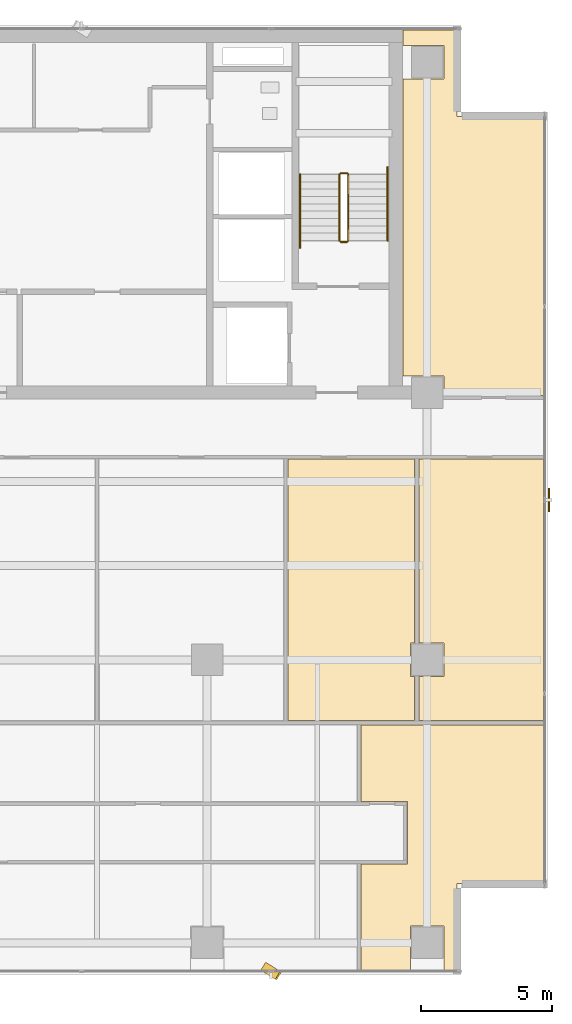
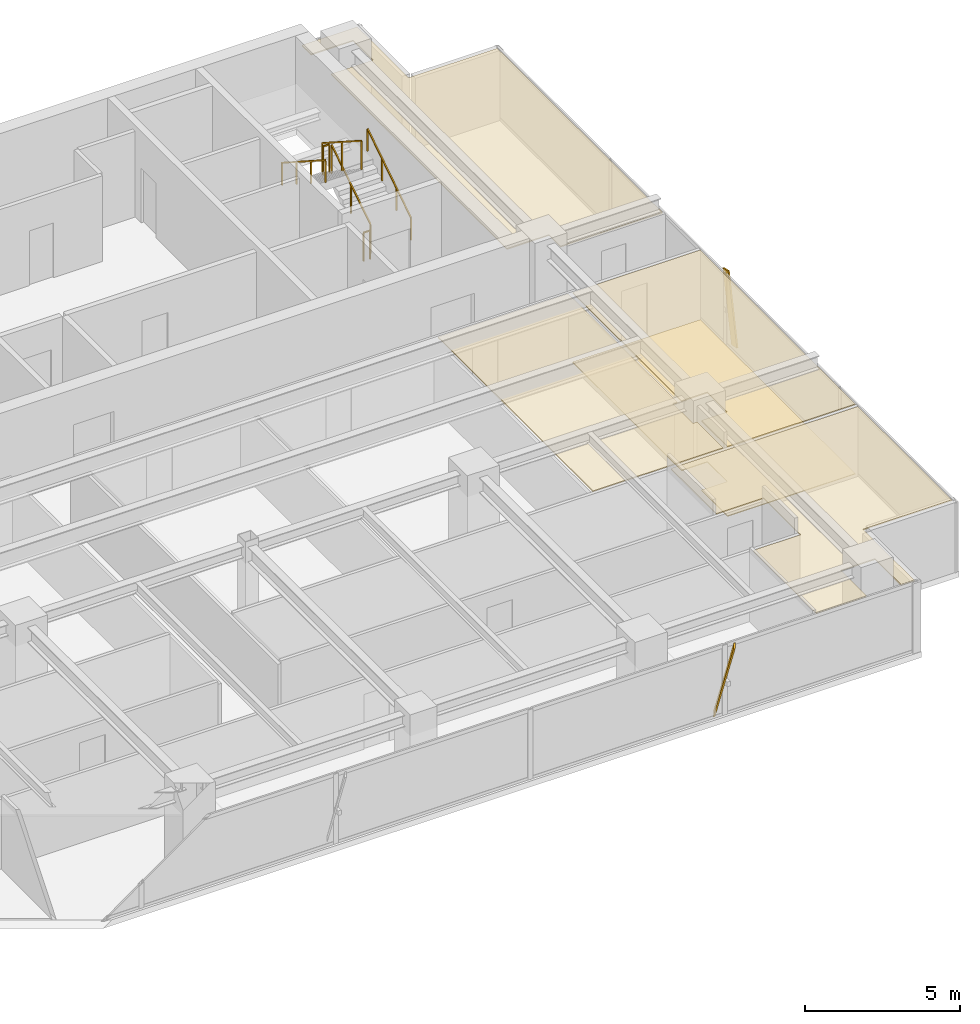
# One storey, part 21 of 23: 6 railings, 5 coverings, 2 shading devices.
"""IFC4 building model written with IfcOpenShell, lengths in metres."""

from ifc_helpers import new_model, si_unit, direction, frame, origin, origin_2d, place, context, subcontext, project, spatial, polyline, rectangle, outline, extrude, source, transform, mapped, material, layer, layer_set, material_profile, profile_set, type_object, element, save


model = new_model("IFC4")

# Units and contexts
model_context = context("Model", 3, precision=1e-05, world=origin(), true_north=direction((0.0, 1.0)))
body_context = subcontext(model_context, "Body", "Model", "MODEL_VIEW")
ifc_project = project(units=[si_unit("LENGTHUNIT", "METRE"), si_unit("AREAUNIT", "SQUARE_METRE"), si_unit("VOLUMEUNIT", "CUBIC_METRE"), si_unit("PLANEANGLEUNIT", "RADIAN"), si_unit("MASSUNIT", "GRAM", prefix="KILO")], contexts=[model_context])

# Site, building, storey
site_placement = place(None, origin())
site = spatial("IfcSite", under=ifc_project, at=site_placement, CompositionType="ELEMENT")
building_placement = place(site_placement, origin())
building = spatial("IfcBuilding", under=site, at=building_placement, Name="Sumidabori Civic Tower", CompositionType="ELEMENT")
storey_placement = place(building_placement, frame((0.0, 0.0, 275.60009765625)))
storey = spatial("IfcBuildingStorey", under=building, at=storey_placement, Name="L72", CompositionType="ELEMENT", Elevation=275.60009765625)

# Coverings
ifc_material_1 = material(Name="Perforated Timber Acoustic Ceiling", Category="wood")
ifc_layer_1 = layer(ifc_material_1, 0.044921875, Name="Perforated Timber Acoustic Ceiling")
ifc_layer_set_1 = layer_set([ifc_layer_1], Name="Perforated Timber Acoustic Ceiling")
covering_type_1 = type_object("IfcCoveringType", Name="CV-CEIL-AC2", PredefinedType="CEILING", material=ifc_layer_set_1)
covering_1_placement = place(storey_placement, frame((0.0, 0.0, 2.719970703125)))
element("IfcCovering", 1, at=covering_1_placement, inside=storey, type_object=covering_type_1, Name="Room Acoustic Ceiling L72-02", PredefinedType="CEILING", context=body_context, shape_type="SweptSolid", body=[
    extrude(outline(polyline([(15.8779296875, 22.159912109375), (17.43994140625, 22.159912109375), (17.43994140625, 23.43994140625), (15.8779296875, 23.43994140625), (15.8779296875, 24.030029296875), (17.929931640625, 24.030029296875), (17.929931640625, 20.72998046875), (21.22998046875, 20.72998046875), (21.22998046875, 10.090087890625), (17.43994140625, 10.090087890625), (17.43994140625, 10.840087890625), (15.8779296875, 10.840087890625), (15.8779296875, 22.159912109375)])), origin(), (0.0, 0.0, 1.0), 0.044921875),
])
covering_2_placement = place(storey_placement, frame((0.0, 0.0, 2.719970703125)))
element("IfcCovering", 2, at=covering_2_placement, inside=storey, type_object=covering_type_1, Name="Room Acoustic Ceiling L72-08", PredefinedType="CEILING", context=body_context, shape_type="SweptSolid", body=[
    extrude(outline(polyline([(11.47998046875, 7.659912109375), (16.320068359375, 7.659912109375), (16.320068359375, 0.639892578125), (16.159912109375, 0.639892578125), (16.159912109375, -0.639892578125), (16.320068359375, -0.639892578125), (16.320068359375, -2.320068359375), (11.47998046875, -2.320068359375), (11.47998046875, 7.659912109375)])), origin(), (0.0, 0.0, 1.0), 0.044921875),
])
covering_3_placement = place(storey_placement, frame((0.0, 0.0, 2.719970703125)))
element("IfcCovering", 3, at=covering_3_placement, inside=storey, type_object=covering_type_1, Name="Room Acoustic Ceiling L72-09", PredefinedType="CEILING", context=body_context, shape_type="SweptSolid", body=[
    extrude(outline(polyline([(16.47998046875, -0.639892578125), (17.43994140625, -0.639892578125), (17.43994140625, 0.639892578125), (16.47998046875, 0.639892578125), (16.47998046875, 7.659912109375), (21.22998046875, 7.659912109375), (21.22998046875, -2.320068359375), (16.47998046875, -2.320068359375), (16.47998046875, -0.639892578125)])), origin(), (0.0, 0.0, 1.0), 0.044921875),
])
covering_4_placement = place(storey_placement, frame((0.0, 0.0, 2.719970703125)))
element("IfcCovering", 4, at=covering_4_placement, inside=storey, type_object=covering_type_1, Name="Room Acoustic Ceiling L72-12", PredefinedType="CEILING", context=body_context, shape_type="SweptSolid", body=[
    extrude(outline(polyline([(16.0400390625, -7.7900390625), (16.0400390625, -5.409912109375), (14.280029296875, -5.409912109375), (14.280029296875, -2.47998046875), (21.22998046875, -2.47998046875), (21.22998046875, -8.530029296875), (17.929931640625, -8.530029296875), (17.929931640625, -11.830078125), (17.43994140625, -11.830078125), (17.43994140625, -10.159912109375), (16.159912109375, -10.159912109375), (16.159912109375, -11.830078125), (14.280029296875, -11.830078125), (14.280029296875, -7.7900390625), (16.0400390625, -7.7900390625)])), origin(), (0.0, 0.0, 1.0), 0.044921875),
])
ifc_material_2 = material(Name="Honed Terrazzo Tile Flooring")
ifc_layer_2 = layer(ifc_material_2, 0.030029296875, Name="Honed Terrazzo Tile Flooring")
ifc_layer_set_2 = layer_set([ifc_layer_2], Name="Honed Terrazzo Tile Flooring")
covering_type_2 = type_object("IfcCoveringType", Name="CV-FLR-TER", PredefinedType="FLOORING", material=ifc_layer_set_2)
covering_5_placement = place(storey_placement, origin())
element("IfcCovering", 5, at=covering_5_placement, inside=storey, type_object=covering_type_2, Name="Room Terrazzo Floor L72-09", PredefinedType="FLOORING", context=body_context, shape_type="SweptSolid", body=[
    extrude(outline(polyline([(16.47998046875, -0.639892578125), (17.43994140625, -0.639892578125), (17.43994140625, 0.639892578125), (16.47998046875, 0.639892578125), (16.47998046875, 7.659912109375), (21.22998046875, 7.659912109375), (21.22998046875, -2.320068359375), (16.47998046875, -2.320068359375), (16.47998046875, -0.639892578125)])), origin(), (0.0, 0.0, 1.0), 0.02978515625),
])

# Railings
ifc_material_3 = material(Name="Stainless Steel Hairline Finish", Category="steel")
railing_type_1 = type_object("IfcRailingType", Name="RL-HANDRAIL", PredefinedType="HANDRAIL", material=ifc_material_3)
railing_1_placement = place(storey_placement, frame((15.2900390625, 16.0, 0.179931640625)))
element("IfcRailing", 6, at=railing_1_placement, inside=storey, type_object=railing_type_1, Name="L72 ST-2 stair handrail 1", PredefinedType="HANDRAIL", context=body_context, shape_type="SweptSolid", body=[
    extrude(rectangle(XDim=0.048095703125, YDim=0.048095703125, at=origin_2d()), frame((0.0, 0.0, 0.8759765625), z_axis=(0.0, 0.840675598268, 0.541539046124), x_axis=(-1.0, 0.0, 0.0)), (0.0, 0.0, 1.0), 3.330810546875),
    extrude(rectangle(XDim=0.0419921875, YDim=0.0419921875, at=origin_2d()), origin(), (0.0, 0.0, 1.0), 0.851806640625),
    extrude(rectangle(XDim=0.0419921875, YDim=0.0419921875, at=origin_2d()), frame((0.0, 0.933349609375, 0.601318359375)), (0.0, 0.0, 1.0), 0.851806640625),
    extrude(rectangle(XDim=0.0419921875, YDim=0.0419921875, at=origin_2d()), frame((0.0, 1.86669921875, 1.202392578125)), (0.0, 0.0, 1.0), 0.851806640625),
    extrude(rectangle(XDim=0.0419921875, YDim=0.0419921875, at=origin_2d()), frame((0.0, 2.800048828125, 1.8037109375)), (0.0, 0.0, 1.0), 0.851806640625),
])
railing_2_placement = place(storey_placement, frame((11.949951171875, 18.52001953125, 1.97998046875)))
element("IfcRailing", 7, at=railing_2_placement, inside=storey, type_object=railing_type_1, Name="L72 ST-2 stair handrail 2", PredefinedType="HANDRAIL", context=body_context, shape_type="SweptSolid", body=[
    extrude(rectangle(XDim=0.048095703125, YDim=0.048095703125, at=origin_2d()), frame((0.0, 0.0, 0.8759765625), z_axis=(0.0, -0.840675598268, 0.541539046124), x_axis=(1.0, 0.0, 0.0)), (0.0, 0.0, 1.0), 3.330810546875),
    extrude(rectangle(XDim=0.0419921875, YDim=0.0419921875, at=origin_2d()), origin(), (0.0, 0.0, 1.0), 0.851806640625),
    extrude(rectangle(XDim=0.0419921875, YDim=0.0419921875, at=origin_2d()), frame((0.0, -0.933349609375, 0.601318359375)), (0.0, 0.0, 1.0), 0.851806640625),
    extrude(rectangle(XDim=0.0419921875, YDim=0.0419921875, at=origin_2d()), frame((0.0, -1.86669921875, 1.202392578125)), (0.0, 0.0, 1.0), 0.851806640625),
    extrude(rectangle(XDim=0.0419921875, YDim=0.0419921875, at=origin_2d()), frame((0.0, -2.800048828125, 1.8037109375)), (0.0, 0.0, 1.0), 0.851806640625),
])
ifc_material_4 = material(Name="Steel SN490", Category="steel")
railing_type_2 = type_object("IfcRailingType", Name="RL-STAIR-GUARD", PredefinedType="GUARDRAIL", material=ifc_material_4)
railing_3_placement = place(storey_placement, frame((13.7900390625, 16.0, 0.179931640625)))
element("IfcRailing", 8, at=railing_3_placement, inside=storey, type_object=railing_type_2, Name="L72 ST-2 stair guard 1", PredefinedType="GUARDRAIL", context=body_context, shape_type="SweptSolid", body=[
    extrude(rectangle(XDim=0.048095703125, YDim=0.048095703125, at=origin_2d()), frame((0.0, 0.0, 1.1259765625), z_axis=(0.0, 0.841199657755, 0.540724639528), x_axis=(-1.0, 0.0, 0.0)), (0.0, 0.0, 1.0), 2.995849609375),
    extrude(rectangle(XDim=0.0419921875, YDim=0.0419921875, at=origin_2d()), origin(), (0.0, 0.0, 1.0), 1.101806640625),
    extrude(rectangle(XDim=0.0419921875, YDim=0.0419921875, at=origin_2d()), frame((0.0, 1.260009765625, 0.81005859375)), (0.0, 0.0, 1.0), 1.101806640625),
    extrude(rectangle(XDim=0.0419921875, YDim=0.0419921875, at=origin_2d()), frame((0.0, 2.52001953125, 1.619873046875)), (0.0, 0.0, 1.0), 1.101806640625),
])
railing_4_placement = place(storey_placement, frame((13.739990234375, 18.570068359375, 1.7998046875)))
element("IfcRailing", 9, at=railing_4_placement, inside=storey, type_object=railing_type_2, Name="L72 ST-2 stair guard 2", PredefinedType="GUARDRAIL", context=body_context, shape_type="SweptSolid", body=[
    extrude(rectangle(XDim=0.048095703125, YDim=0.048095703125, at=origin_2d()), frame((0.0, 0.0, 1.1259765625), z_axis=(-1.0, 0.0, 0.0), x_axis=(0.0, -1.0, 0.0)), (0.0, 0.0, 1.0), 0.239990234375),
    extrude(rectangle(XDim=0.0419921875, YDim=0.0419921875, at=origin_2d()), origin(), (0.0, 0.0, 1.0), 1.101806640625),
    extrude(rectangle(XDim=0.0419921875, YDim=0.0419921875, at=origin_2d()), frame((-0.239990234375, 0.0, 0.0)), (0.0, 0.0, 1.0), 1.101806640625),
])
railing_5_placement = place(storey_placement, frame((13.449951171875, 18.52001953125, 1.97998046875)))
element("IfcRailing", 10, at=railing_5_placement, inside=storey, type_object=railing_type_2, Name="L72 ST-2 stair guard 3", PredefinedType="GUARDRAIL", context=body_context, shape_type="SweptSolid", body=[
    extrude(rectangle(XDim=0.048095703125, YDim=0.048095703125, at=origin_2d()), frame((0.0, 0.0, 1.1259765625), z_axis=(0.0, -0.841199657755, 0.540724639528), x_axis=(1.0, 0.0, 0.0)), (0.0, 0.0, 1.0), 2.995849609375),
    extrude(rectangle(XDim=0.0419921875, YDim=0.0419921875, at=origin_2d()), origin(), (0.0, 0.0, 1.0), 1.101806640625),
    extrude(rectangle(XDim=0.0419921875, YDim=0.0419921875, at=origin_2d()), frame((0.0, -1.260009765625, 0.81005859375)), (0.0, 0.0, 1.0), 1.101806640625),
    extrude(rectangle(XDim=0.0419921875, YDim=0.0419921875, at=origin_2d()), frame((0.0, -2.52001953125, 1.619873046875)), (0.0, 0.0, 1.0), 1.101806640625),
])
railing_6_placement = place(storey_placement, frame((13.739990234375, 15.949951171875, 0.0)))
element("IfcRailing", 11, at=railing_6_placement, inside=storey, type_object=railing_type_2, Name="L72 ST-2 stair guard 4", PredefinedType="GUARDRAIL", context=body_context, shape_type="SweptSolid", body=[
    extrude(rectangle(XDim=0.048095703125, YDim=0.048095703125, at=origin_2d()), frame((0.0, 0.0, 1.1259765625), z_axis=(-1.0, 0.0, 0.0), x_axis=(0.0, -1.0, 0.0)), (0.0, 0.0, 1.0), 0.239990234375),
    extrude(rectangle(XDim=0.0419921875, YDim=0.0419921875, at=origin_2d()), origin(), (0.0, 0.0, 1.0), 1.101806640625),
    extrude(rectangle(XDim=0.0419921875, YDim=0.0419921875, at=origin_2d()), frame((-0.239990234375, 0.0, 0.0)), (0.0, 0.0, 1.0), 1.101806640625),
])

# Shading devices
ifc_material_5 = material(Name="Anodised Bronze Aluminium AW-6063-T6", Category="aluminium")
ifc_material_profile = material_profile(ifc_material_5, rectangle(XDim=0.054931640625, YDim=0.360107421875, at=origin_2d()), Name="BRONZE FIN 360x55")
ifc_profile_set = profile_set([ifc_material_profile], Name="Anodised Bronze Aluminium AW-6063-T6")
shading_device_type = type_object("IfcShadingDeviceType", Name="SH-FIN-360", PredefinedType="USERDEFINED", material=ifc_profile_set)
shared_shape_1 = source(origin(), body_context, "Body", "SweptSolid", [
    extrude(rectangle(XDim=0.054931640625, YDim=0.360107421875, at=origin_2d()), origin(), (0.0, 0.0, 1.0), 2.7685546875),
])
shading_device_1_placement = place(storey_placement, frame((10.56201171875, -11.7099609375, 0.02001953125), z_axis=(0.202289930374, -0.122837782481, 0.971591304646), x_axis=(0.830469701518, -0.504291322674, -0.236665030656)))
element("IfcShadingDevice", 12, at=shading_device_1_placement, inside=storey, type_object=shading_device_type, Name="Bronze Anodised Diagonal Fin L72-04", ObjectType="FIN", PredefinedType="USERDEFINED", context=body_context, shape_type="MappedRepresentation", body=[
    mapped(shared_shape_1, transform((0.0, 0.0, 0.0), x_axis=(1.0, 0.0, 0.0), y_axis=(0.0, 1.0, 0.0), z_axis=(0.0, 0.0, 1.0), scale=1.0)),
])
shared_shape_2 = source(origin(), body_context, "Body", "SweptSolid", [
    extrude(rectangle(XDim=0.054931640625, YDim=0.360107421875, at=origin_2d()), origin(), (0.0, 0.0, 1.0), 2.74755859375),
])
shading_device_2_placement = place(storey_placement, frame((21.449951171875, 5.820068359375, 0.02001953125), z_axis=(0.0, 0.203748445037, 0.979023274057), x_axis=(-1.0, 0.0, 0.0)))
element("IfcShadingDevice", 13, at=shading_device_2_placement, inside=storey, type_object=shading_device_type, Name="Bronze Anodised Diagonal Fin L72-02", ObjectType="FIN", PredefinedType="USERDEFINED", context=body_context, shape_type="MappedRepresentation", body=[
    mapped(shared_shape_2, transform((0.0, 0.0, 0.0), x_axis=(1.0, 0.0, 0.0), y_axis=(0.0, 1.0, 0.0), z_axis=(0.0, 0.0, 1.0), scale=1.0)),
])

save(model, "model.ifc")
